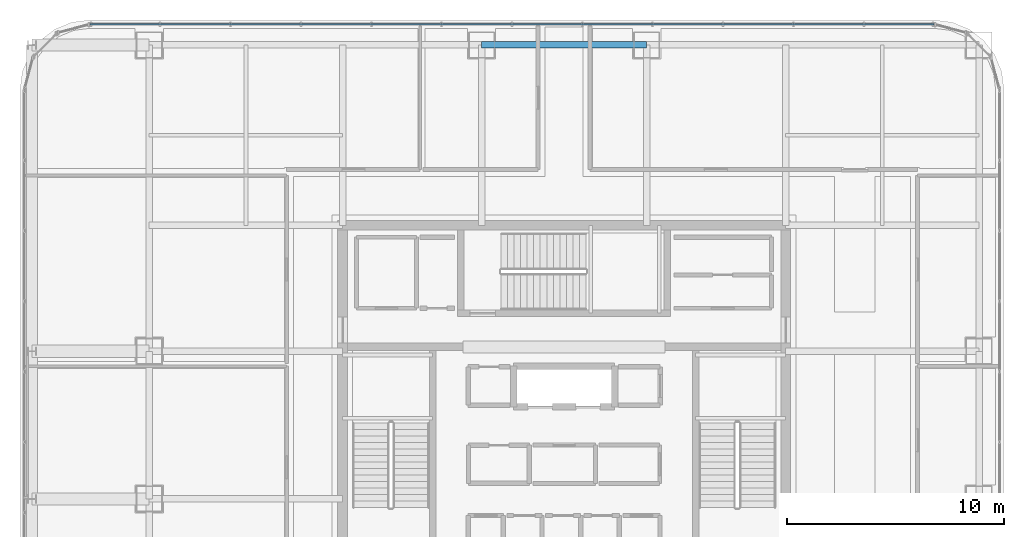
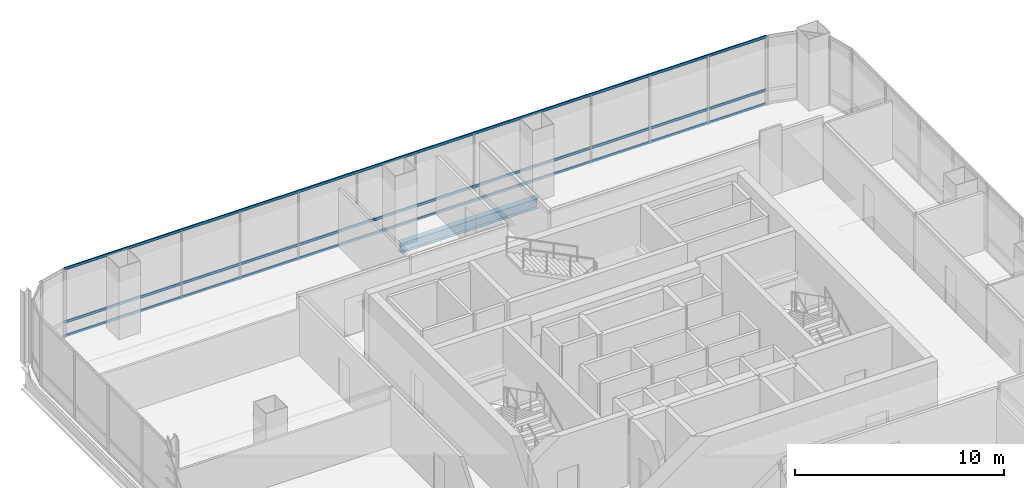
# One storey, part 28 of 43: 3 members, 1 beam, 1 element without a shape of its own.
"""IFC4 building model written with IfcOpenShell, lengths in metres."""

from ifc_helpers import new_model, si_unit, direction, frame, origin, origin_2d, place, context, subcontext, project, spatial, hollow_rectangle, i_section, extrude, material, material_profile, profile_set, type_object, element, aggregate, save


model = new_model("IFC4")

# Units and contexts
model_context = context("Model", 3, precision=1e-05, world=origin(), true_north=direction((0.0, 1.0)))
body_context = subcontext(model_context, "Body", "Model", "MODEL_VIEW")
ifc_project = project(units=[si_unit("LENGTHUNIT", "METRE"), si_unit("AREAUNIT", "SQUARE_METRE"), si_unit("VOLUMEUNIT", "CUBIC_METRE"), si_unit("PLANEANGLEUNIT", "RADIAN"), si_unit("MASSUNIT", "GRAM", prefix="KILO")], contexts=[model_context])

# Site, building, storey
site_placement = place(None, origin())
site = spatial("IfcSite", under=ifc_project, at=site_placement, CompositionType="ELEMENT")
building_placement = place(site_placement, origin())
building = spatial("IfcBuilding", under=site, at=building_placement, Name="Punatoya Terracotta Tower", CompositionType="ELEMENT")
storey_placement = place(building_placement, frame((0.0, 0.0, 321.60009765625)))
storey = spatial("IfcBuildingStorey", under=building, at=storey_placement, Name="L76", CompositionType="ELEMENT", Elevation=321.60009765625)

# Beam
ifc_material_1 = material(Name="Steel S355", Category="steel")
ifc_material_profile_1 = material_profile(ifc_material_1, i_section(OverallWidth=0.300048828125, OverallDepth=0.60009765625, WebThickness=0.015380859375, FlangeThickness=0.030029296875, FilletRadius=0.01806640625, at=origin_2d()))
ifc_profile_set_1 = profile_set([ifc_material_profile_1], Name="Steel S355")
beam_type = type_object("IfcBeamType", Name="BM-PRI-600", PredefinedType="BEAM", material=ifc_profile_set_1)
beam_placement = place(storey_placement, frame((-3.800048828125, 17.5, -0.5), z_axis=(1.0, 0.0, 0.0), x_axis=(0.0, 1.0, 0.0)))
element("IfcBeam", 1, at=beam_placement, inside=storey, type_object=beam_type, Name="BM-L76-RG-N2", PredefinedType="BEAM", context=body_context, shape_type="SweptSolid", body=[
    extrude(i_section(OverallWidth=0.300048828125, OverallDepth=0.60009765625, WebThickness=0.015380859375, FlangeThickness=0.030029296875, FilletRadius=0.01806640625, at=origin_2d()), origin(), (0.0, 0.0, 1.0), 7.60009765625),
])

# Curtain wall, members
ifc_material_2 = material(Name="Aluminium 6063-T6 + Double Low-E Glass", Category="aluminium")
curtain_wall_type = type_object("IfcCurtainWallType", Name="CW-OBS", PredefinedType="NOTDEFINED", material=ifc_material_2)
curtain_wall_placement = place(storey_placement, origin())
curtain_wall = element("IfcCurtainWall", 2, at=curtain_wall_placement, inside=storey, type_object=curtain_wall_type, Name="L76 Curtain Wall CW-L76-N09-1", PredefinedType="NOTDEFINED")
ifc_material_3 = material(Name="Aluminium 6063-T6", Category="aluminium")
ifc_material_profile_2 = material_profile(ifc_material_3, hollow_rectangle(XDim=0.068115234375, YDim=0.14990234375, WallThickness=0.00390625, at=origin_2d()))
ifc_profile_set_2 = profile_set([ifc_material_profile_2], Name="Aluminium 6063-T6")
member_type = type_object("IfcMemberType", Name="CW-TRN-TYP", PredefinedType="USERDEFINED", material=ifc_profile_set_2)
member_1_placement = place(storey_placement, frame((17.036865234375, 18.449951171875, 0.039794921875), z_axis=(-1.0, 0.0, 0.0), x_axis=(0.0, -1.0, 0.0)))
member_1 = element("IfcMember", 3, at=member_1_placement, type_object=member_type, Name="CW-L76-N09-1 Transom 1", ObjectType="TRANSOM", PredefinedType="USERDEFINED", context=body_context, shape_type="SweptSolid", body=[
    extrude(hollow_rectangle(XDim=0.068115234375, YDim=0.14990234375, WallThickness=0.00390625, at=origin_2d()), origin(), (0.0, 0.0, 1.0), 38.873779296875),
])
member_2_placement = place(storey_placement, frame((17.036865234375, 18.449951171875, 0.849853515625), z_axis=(-1.0, 0.0, 0.0), x_axis=(0.0, -1.0, 0.0)))
member_2 = element("IfcMember", 4, at=member_2_placement, type_object=member_type, Name="CW-L76-N09-1 Transom 2", ObjectType="TRANSOM", PredefinedType="USERDEFINED", context=body_context, shape_type="SweptSolid", body=[
    extrude(hollow_rectangle(XDim=0.068115234375, YDim=0.14990234375, WallThickness=0.00390625, at=origin_2d()), origin(), (0.0, 0.0, 1.0), 38.873779296875),
])
member_3_placement = place(storey_placement, frame((17.036865234375, 18.449951171875, 3.9599609375), z_axis=(-1.0, 0.0, 0.0), x_axis=(0.0, -1.0, 0.0)))
member_3 = element("IfcMember", 5, at=member_3_placement, type_object=member_type, Name="CW-L76-N09-1 Transom 3", ObjectType="TRANSOM", PredefinedType="USERDEFINED", context=body_context, shape_type="SweptSolid", body=[
    extrude(hollow_rectangle(XDim=0.068115234375, YDim=0.14990234375, WallThickness=0.00390625, at=origin_2d()), origin(), (0.0, 0.0, 1.0), 38.873779296875),
])
aggregate(curtain_wall, [member_1, member_2, member_3])

save(model, "model.ifc")
